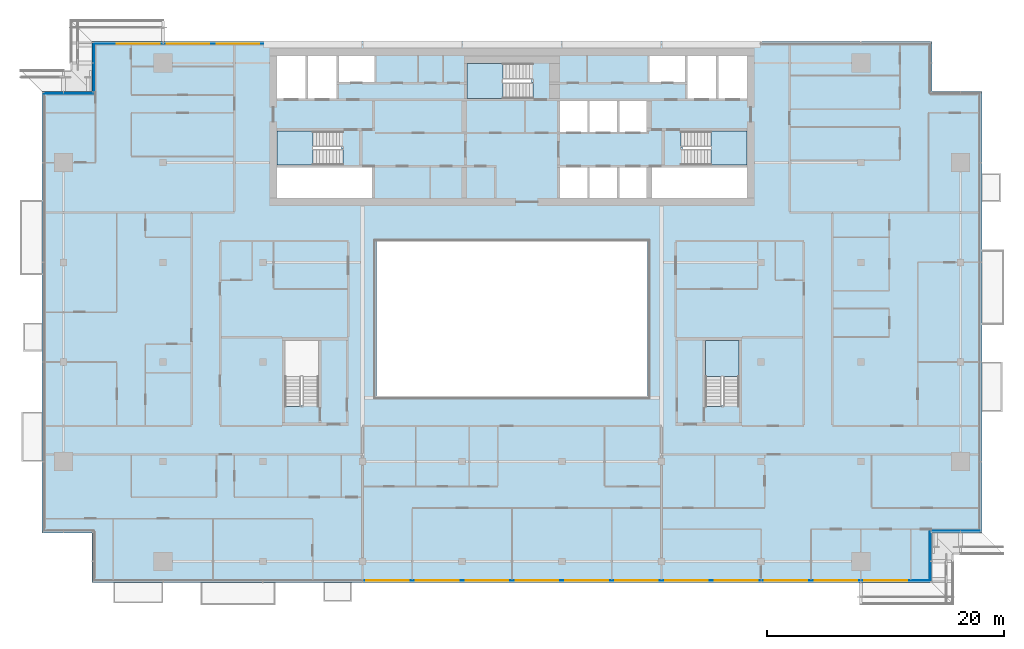
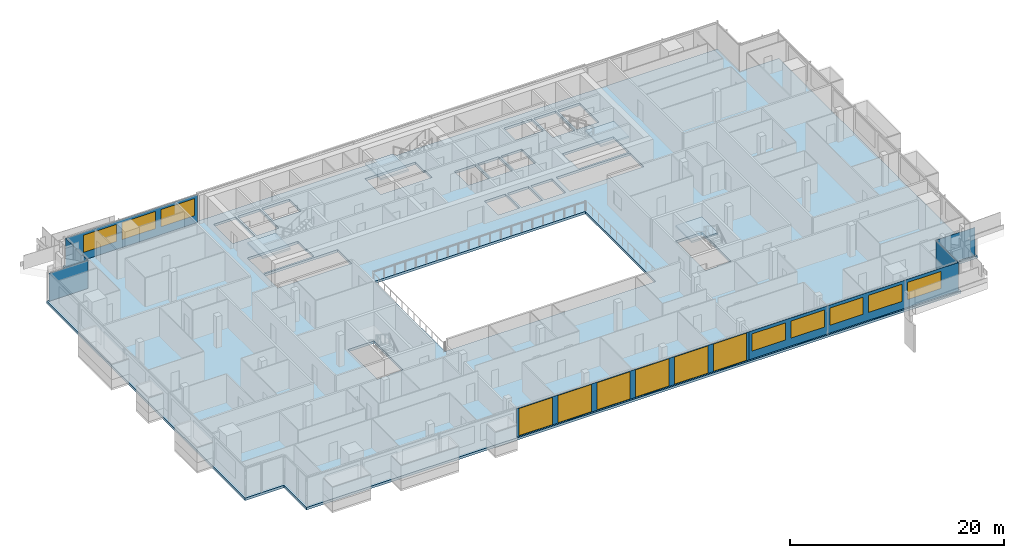
# One storey, part 15 of 30: 14 windows, 7 plates, 5 slabs, 14 openings, 10 elements without a shape of their own.
"""IFC4 building model written with IfcOpenShell, lengths in metres."""

from ifc_helpers import new_model, si_unit, direction, frame, frame_2d, origin, place, context, subcontext, project, spatial, polyline, rectangle, outline, extrude, material, layer, layer_set, type_object, element, fill, aggregate, save


model = new_model("IFC4")

# Units and contexts
model_context = context("Model", 3, precision=1e-05, world=origin(), true_north=direction((0.0, 1.0)))
body_context = subcontext(model_context, "Body", "Model", "MODEL_VIEW")
ifc_project = project(units=[si_unit("LENGTHUNIT", "METRE"), si_unit("AREAUNIT", "SQUARE_METRE"), si_unit("VOLUMEUNIT", "CUBIC_METRE"), si_unit("PLANEANGLEUNIT", "RADIAN"), si_unit("MASSUNIT", "GRAM", prefix="KILO")], contexts=[model_context])

# Site, building, storey
site_placement = place(None, origin())
site = spatial("IfcSite", under=ifc_project, at=site_placement, CompositionType="ELEMENT")
building_placement = place(site_placement, origin())
building = spatial("IfcBuilding", under=site, at=building_placement, Name="Saffron Gate Tower", CompositionType="ELEMENT")
storey_placement = place(building_placement, frame((0.0, 0.0, 216.300048828125)))
storey = spatial("IfcBuildingStorey", under=building, at=storey_placement, Name="L52", CompositionType="ELEMENT", Elevation=216.300048828125)

# Curtain wall, plates, openings, windows
ifc_material_1 = material(Name="Aluminium, bronze anodised", Category="aluminium")
curtain_wall_type_1 = type_object("IfcCurtainWallType", Name="CWS1 curtain wall front facade", PredefinedType="NOTDEFINED", material=ifc_material_1)
curtain_wall_1_placement = place(storey_placement, origin())
curtain_wall_1 = element("IfcCurtainWall", 1, at=curtain_wall_1_placement, inside=storey, type_object=curtain_wall_type_1, Name="CWS1 run 1", PredefinedType="NOTDEFINED")
ifc_material_2 = material(Name="Clear low-iron laminated glass", Category="glass")
ifc_layer_1 = layer(ifc_material_2, 0.028076171875)
ifc_layer_set_1 = layer_set([ifc_layer_1], Name="CWS1 clear glass")
plate_type_1 = type_object("IfcPlateType", Name="CWS1 clear glass", PredefinedType="CURTAIN_PANEL", material=ifc_layer_set_1)
plate_1_placement = place(storey_placement, frame((75.030029296875, 30.174072265625, 0.0), z_axis=(0.0, 0.0, 1.0), x_axis=(1.0, 0.0, 0.0)))
plate_1 = element("IfcPlate", 2, at=plate_1_placement, type_object=plate_type_1, Name="CWS1 clear glass panel", PredefinedType="CURTAIN_PANEL", context=body_context, shape_type="SweptSolid", body=[
    extrude(rectangle(XDim=25.139892578125, YDim=0.028076171875, at=frame_2d((12.56982421875, 0.0))), origin(), (0.0, 0.0, 1.0), 3.199951171875),
])
opening_1_placement = place(plate_1_placement, frame((0.27001953125, 0.0, 0.050048828125)))
opening_1 = element("IfcOpeningElement", 3, at=opening_1_placement, cuts=plate_1, Name="Opening WA", PredefinedType="OPENING", context=body_context, shape_type="SweptSolid", body=[
    extrude(rectangle(XDim=3.60009765625, YDim=3.10009765625, at=frame_2d((1.800048828125, 1.550048828125))), frame((0.0, 0.02392578125, 0.0), z_axis=(0.0, -1.0, 0.0), x_axis=(1.0, 0.0, 0.0)), (0.0, 0.0, 1.0), 0.048095703125),
])
opening_2_placement = place(plate_1_placement, frame((4.469970703125, 0.0, 0.050048828125)))
opening_2 = element("IfcOpeningElement", 4, at=opening_2_placement, cuts=plate_1, Name="Opening WA", PredefinedType="OPENING", context=body_context, shape_type="SweptSolid", body=[
    extrude(rectangle(XDim=3.60009765625, YDim=3.10009765625, at=frame_2d((1.800048828125, 1.550048828125))), frame((0.0, 0.02392578125, 0.0), z_axis=(0.0, -1.0, 0.0), x_axis=(1.0, 0.0, 0.0)), (0.0, 0.0, 1.0), 0.048095703125),
])
opening_3_placement = place(plate_1_placement, frame((8.669921875, 0.0, 0.050048828125)))
opening_3 = element("IfcOpeningElement", 5, at=opening_3_placement, cuts=plate_1, Name="Opening WA", PredefinedType="OPENING", context=body_context, shape_type="SweptSolid", body=[
    extrude(rectangle(XDim=3.60009765625, YDim=3.10009765625, at=frame_2d((1.800048828125, 1.550048828125))), frame((0.0, 0.02392578125, 0.0), z_axis=(0.0, -1.0, 0.0), x_axis=(1.0, 0.0, 0.0)), (0.0, 0.0, 1.0), 0.048095703125),
])
opening_4_placement = place(plate_1_placement, frame((12.8701171875, 0.0, 0.050048828125)))
opening_4 = element("IfcOpeningElement", 6, at=opening_4_placement, cuts=plate_1, Name="Opening WA", PredefinedType="OPENING", context=body_context, shape_type="SweptSolid", body=[
    extrude(rectangle(XDim=3.60009765625, YDim=3.10009765625, at=frame_2d((1.800048828125, 1.550048828125))), frame((0.0, 0.02392578125, 0.0), z_axis=(0.0, -1.0, 0.0), x_axis=(1.0, 0.0, 0.0)), (0.0, 0.0, 1.0), 0.048095703125),
])
opening_5_placement = place(plate_1_placement, frame((17.070068359375, 0.0, 0.050048828125)))
opening_5 = element("IfcOpeningElement", 7, at=opening_5_placement, cuts=plate_1, Name="Opening WA", PredefinedType="OPENING", context=body_context, shape_type="SweptSolid", body=[
    extrude(rectangle(XDim=3.60009765625, YDim=3.10009765625, at=frame_2d((1.800048828125, 1.550048828125))), frame((0.0, 0.02392578125, 0.0), z_axis=(0.0, -1.0, 0.0), x_axis=(1.0, 0.0, 0.0)), (0.0, 0.0, 1.0), 0.048095703125),
])
opening_6_placement = place(plate_1_placement, frame((21.27001953125, 0.0, 0.050048828125)))
opening_6 = element("IfcOpeningElement", 8, at=opening_6_placement, cuts=plate_1, Name="Opening WA", PredefinedType="OPENING", context=body_context, shape_type="SweptSolid", body=[
    extrude(rectangle(XDim=3.60009765625, YDim=3.10009765625, at=frame_2d((1.800048828125, 1.550048828125))), frame((0.0, 0.02392578125, 0.0), z_axis=(0.0, -1.0, 0.0), x_axis=(1.0, 0.0, 0.0)), (0.0, 0.0, 1.0), 0.048095703125),
])
ifc_material_3 = material(Name="Clear low-iron laminated glass in bronze frame", Category="glass")
ifc_layer_2 = layer(ifc_material_3, 0.06005859375)
ifc_layer_set_2 = layer_set([ifc_layer_2], Name="WA operable atrium unit 3600x3100")
window_type_1 = type_object("IfcWindowType", Name="WA operable atrium unit 3600x3100", PartitioningType="DOUBLE_PANEL_HORIZONTAL", PredefinedType="WINDOW", material=ifc_layer_set_2)
window_1_placement = place(opening_1_placement, origin())
window_1 = element("IfcWindow", 9, at=window_1_placement, type_object=window_type_1, Name="WA operable atrium unit", OverallHeight=3.10009765625, OverallWidth=3.60009765625, PartitioningType="SINGLE_PANEL", PredefinedType="WINDOW", context=body_context, shape_type="SweptSolid", body=[
    extrude(rectangle(XDim=3.60009765625, YDim=3.10009765625, at=frame_2d((1.800048828125, 1.550048828125))), frame((0.0, 0.013671875, 0.0), z_axis=(0.0, -1.0, 0.0), x_axis=(1.0, 0.0, 0.0)), (0.0, 0.0, 1.0), 0.027587890625),
])
fill(opening_1, window_1)
window_2_placement = place(opening_2_placement, origin())
window_2 = element("IfcWindow", 10, at=window_2_placement, type_object=window_type_1, Name="WA operable atrium unit", OverallHeight=3.10009765625, OverallWidth=3.60009765625, PartitioningType="SINGLE_PANEL", PredefinedType="WINDOW", context=body_context, shape_type="SweptSolid", body=[
    extrude(rectangle(XDim=3.60009765625, YDim=3.10009765625, at=frame_2d((1.800048828125, 1.550048828125))), frame((0.0, 0.013671875, 0.0), z_axis=(0.0, -1.0, 0.0), x_axis=(1.0, 0.0, 0.0)), (0.0, 0.0, 1.0), 0.027587890625),
])
fill(opening_2, window_2)
window_3_placement = place(opening_3_placement, origin())
window_3 = element("IfcWindow", 11, at=window_3_placement, type_object=window_type_1, Name="WA operable atrium unit", OverallHeight=3.10009765625, OverallWidth=3.60009765625, PartitioningType="SINGLE_PANEL", PredefinedType="WINDOW", context=body_context, shape_type="SweptSolid", body=[
    extrude(rectangle(XDim=3.60009765625, YDim=3.10009765625, at=frame_2d((1.800048828125, 1.550048828125))), frame((0.0, 0.013671875, 0.0), z_axis=(0.0, -1.0, 0.0), x_axis=(1.0, 0.0, 0.0)), (0.0, 0.0, 1.0), 0.027587890625),
])
fill(opening_3, window_3)
window_4_placement = place(opening_4_placement, origin())
window_4 = element("IfcWindow", 12, at=window_4_placement, type_object=window_type_1, Name="WA operable atrium unit", OverallHeight=3.10009765625, OverallWidth=3.60009765625, PartitioningType="SINGLE_PANEL", PredefinedType="WINDOW", context=body_context, shape_type="SweptSolid", body=[
    extrude(rectangle(XDim=3.60009765625, YDim=3.10009765625, at=frame_2d((1.800048828125, 1.550048828125))), frame((0.0, 0.013671875, 0.0), z_axis=(0.0, -1.0, 0.0), x_axis=(1.0, 0.0, 0.0)), (0.0, 0.0, 1.0), 0.027587890625),
])
fill(opening_4, window_4)
window_5_placement = place(opening_5_placement, origin())
window_5 = element("IfcWindow", 13, at=window_5_placement, type_object=window_type_1, Name="WA operable atrium unit", OverallHeight=3.10009765625, OverallWidth=3.60009765625, PartitioningType="SINGLE_PANEL", PredefinedType="WINDOW", context=body_context, shape_type="SweptSolid", body=[
    extrude(rectangle(XDim=3.60009765625, YDim=3.10009765625, at=frame_2d((1.800048828125, 1.550048828125))), frame((0.0, 0.013671875, 0.0), z_axis=(0.0, -1.0, 0.0), x_axis=(1.0, 0.0, 0.0)), (0.0, 0.0, 1.0), 0.027587890625),
])
fill(opening_5, window_5)
window_6_placement = place(opening_6_placement, origin())
window_6 = element("IfcWindow", 14, at=window_6_placement, type_object=window_type_1, Name="WA operable atrium unit", OverallHeight=3.10009765625, OverallWidth=3.60009765625, PartitioningType="SINGLE_PANEL", PredefinedType="WINDOW", context=body_context, shape_type="SweptSolid", body=[
    extrude(rectangle(XDim=3.60009765625, YDim=3.10009765625, at=frame_2d((1.800048828125, 1.550048828125))), frame((0.0, 0.013671875, 0.0), z_axis=(0.0, -1.0, 0.0), x_axis=(1.0, 0.0, 0.0)), (0.0, 0.0, 1.0), 0.027587890625),
])
fill(opening_6, window_6)
ifc_material_4 = material(Name="Fritted bronze-tinted laminated glass", Category="glass")
ifc_layer_3 = layer(ifc_material_4, 0.028076171875)
ifc_layer_set_3 = layer_set([ifc_layer_3], Name="CWS1 fixed glass")
plate_type_2 = type_object("IfcPlateType", Name="CWS1 fixed glass", PredefinedType="CURTAIN_PANEL", material=ifc_layer_set_3)
plate_2_placement = place(storey_placement, frame((100.169921875, 30.174072265625, 0.0), z_axis=(0.0, 0.0, 1.0), x_axis=(1.0, 0.0, 0.0)))
plate_2 = element("IfcPlate", 15, at=plate_2_placement, type_object=plate_type_2, Name="CWS1 glass panel", PredefinedType="CURTAIN_PANEL", context=body_context, shape_type="SweptSolid", body=[
    extrude(rectangle(XDim=22.64208984375, YDim=0.028076171875, at=frame_2d((11.321044921875, 0.0))), origin(), (0.0, 0.0, 1.0), 3.199951171875),
])
opening_7_placement = place(plate_2_placement, frame((0.330078125, 0.0, 0.89990234375)))
opening_7 = element("IfcOpeningElement", 16, at=opening_7_placement, cuts=plate_2, Name="Opening W1", PredefinedType="OPENING", context=body_context, shape_type="SweptSolid", body=[
    extrude(rectangle(XDim=3.60009765625, YDim=1.949951171875, at=frame_2d((1.800048828125, 0.97509765625))), frame((0.0, 0.02392578125, 0.0), z_axis=(0.0, -1.0, 0.0), x_axis=(1.0, 0.0, 0.0)), (0.0, 0.0, 1.0), 0.048095703125),
])
opening_8_placement = place(plate_2_placement, frame((4.530029296875, 0.0, 0.89990234375)))
opening_8 = element("IfcOpeningElement", 17, at=opening_8_placement, cuts=plate_2, Name="Opening W1", PredefinedType="OPENING", context=body_context, shape_type="SweptSolid", body=[
    extrude(rectangle(XDim=3.60009765625, YDim=1.949951171875, at=frame_2d((1.800048828125, 0.97509765625))), frame((0.0, 0.02392578125, 0.0), z_axis=(0.0, -1.0, 0.0), x_axis=(1.0, 0.0, 0.0)), (0.0, 0.0, 1.0), 0.048095703125),
])
opening_9_placement = place(plate_2_placement, frame((8.72998046875, 0.0, 0.89990234375)))
opening_9 = element("IfcOpeningElement", 18, at=opening_9_placement, cuts=plate_2, Name="Opening W1", PredefinedType="OPENING", context=body_context, shape_type="SweptSolid", body=[
    extrude(rectangle(XDim=3.60009765625, YDim=1.949951171875, at=frame_2d((1.800048828125, 0.97509765625))), frame((0.0, 0.02392578125, 0.0), z_axis=(0.0, -1.0, 0.0), x_axis=(1.0, 0.0, 0.0)), (0.0, 0.0, 1.0), 0.048095703125),
])
opening_10_placement = place(plate_2_placement, frame((12.929931640625, 0.0, 0.89990234375)))
opening_10 = element("IfcOpeningElement", 19, at=opening_10_placement, cuts=plate_2, Name="Opening W1", PredefinedType="OPENING", context=body_context, shape_type="SweptSolid", body=[
    extrude(rectangle(XDim=3.60009765625, YDim=1.949951171875, at=frame_2d((1.800048828125, 0.97509765625))), frame((0.0, 0.02392578125, 0.0), z_axis=(0.0, -1.0, 0.0), x_axis=(1.0, 0.0, 0.0)), (0.0, 0.0, 1.0), 0.048095703125),
])
opening_11_placement = place(plate_2_placement, frame((17.1298828125, 0.0, 0.89990234375)))
opening_11 = element("IfcOpeningElement", 20, at=opening_11_placement, cuts=plate_2, Name="Opening W1", PredefinedType="OPENING", context=body_context, shape_type="SweptSolid", body=[
    extrude(rectangle(XDim=3.60009765625, YDim=1.949951171875, at=frame_2d((1.800048828125, 0.97509765625))), frame((0.0, 0.02392578125, 0.0), z_axis=(0.0, -1.0, 0.0), x_axis=(1.0, 0.0, 0.0)), (0.0, 0.0, 1.0), 0.048095703125),
])
ifc_material_5 = material(Name="Fritted bronze-tinted laminated glass in bronze frame", Category="glass")
ifc_layer_4 = layer(ifc_material_5, 0.06005859375)
ifc_layer_set_4 = layer_set([ifc_layer_4], Name="W1 operable panel 3600x1950")
window_type_2 = type_object("IfcWindowType", Name="W1 operable panel 3600x1950", PartitioningType="DOUBLE_PANEL_HORIZONTAL", PredefinedType="WINDOW", material=ifc_layer_set_4)
window_7_placement = place(opening_7_placement, origin())
window_7 = element("IfcWindow", 21, at=window_7_placement, type_object=window_type_2, Name="W1 operable panel", OverallHeight=1.949951171875, OverallWidth=3.60009765625, PartitioningType="SINGLE_PANEL", PredefinedType="WINDOW", context=body_context, shape_type="SweptSolid", body=[
    extrude(rectangle(XDim=3.60009765625, YDim=1.949951171875, at=frame_2d((1.800048828125, 0.97509765625))), frame((0.0, 0.013671875, 0.0), z_axis=(0.0, -1.0, 0.0), x_axis=(1.0, 0.0, 0.0)), (0.0, 0.0, 1.0), 0.027587890625),
])
fill(opening_7, window_7)
window_8_placement = place(opening_8_placement, origin())
window_8 = element("IfcWindow", 22, at=window_8_placement, type_object=window_type_2, Name="W1 operable panel", OverallHeight=1.949951171875, OverallWidth=3.60009765625, PartitioningType="SINGLE_PANEL", PredefinedType="WINDOW", context=body_context, shape_type="SweptSolid", body=[
    extrude(rectangle(XDim=3.60009765625, YDim=1.949951171875, at=frame_2d((1.800048828125, 0.97509765625))), frame((0.0, 0.013671875, 0.0), z_axis=(0.0, -1.0, 0.0), x_axis=(1.0, 0.0, 0.0)), (0.0, 0.0, 1.0), 0.027587890625),
])
fill(opening_8, window_8)
window_9_placement = place(opening_9_placement, origin())
window_9 = element("IfcWindow", 23, at=window_9_placement, type_object=window_type_2, Name="W1 operable panel", OverallHeight=1.949951171875, OverallWidth=3.60009765625, PartitioningType="SINGLE_PANEL", PredefinedType="WINDOW", context=body_context, shape_type="SweptSolid", body=[
    extrude(rectangle(XDim=3.60009765625, YDim=1.949951171875, at=frame_2d((1.800048828125, 0.97509765625))), frame((0.0, 0.013671875, 0.0), z_axis=(0.0, -1.0, 0.0), x_axis=(1.0, 0.0, 0.0)), (0.0, 0.0, 1.0), 0.027587890625),
])
fill(opening_9, window_9)
window_10_placement = place(opening_10_placement, origin())
window_10 = element("IfcWindow", 24, at=window_10_placement, type_object=window_type_2, Name="W1 operable panel", OverallHeight=1.949951171875, OverallWidth=3.60009765625, PartitioningType="SINGLE_PANEL", PredefinedType="WINDOW", context=body_context, shape_type="SweptSolid", body=[
    extrude(rectangle(XDim=3.60009765625, YDim=1.949951171875, at=frame_2d((1.800048828125, 0.97509765625))), frame((0.0, 0.013671875, 0.0), z_axis=(0.0, -1.0, 0.0), x_axis=(1.0, 0.0, 0.0)), (0.0, 0.0, 1.0), 0.027587890625),
])
fill(opening_10, window_10)
window_11_placement = place(opening_11_placement, origin())
window_11 = element("IfcWindow", 25, at=window_11_placement, type_object=window_type_2, Name="W1 operable panel", OverallHeight=1.949951171875, OverallWidth=3.60009765625, PartitioningType="SINGLE_PANEL", PredefinedType="WINDOW", context=body_context, shape_type="SweptSolid", body=[
    extrude(rectangle(XDim=3.60009765625, YDim=1.949951171875, at=frame_2d((1.800048828125, 0.97509765625))), frame((0.0, 0.013671875, 0.0), z_axis=(0.0, -1.0, 0.0), x_axis=(1.0, 0.0, 0.0)), (0.0, 0.0, 1.0), 0.027587890625),
])
fill(opening_11, window_11)
aggregate(curtain_wall_1, [plate_2, plate_1, window_7, window_8, window_9, window_10, window_11, window_1, window_2, window_3, window_4, window_5, window_6])

# Curtain wall, plate, openings, windows
curtain_wall_type_2 = type_object("IfcCurtainWallType", Name="CWS3 curtain wall rear facade", PredefinedType="NOTDEFINED", material=ifc_material_1)
curtain_wall_2_placement = place(storey_placement, origin())
curtain_wall_2 = element("IfcCurtainWall", 26, at=curtain_wall_2_placement, inside=storey, type_object=curtain_wall_type_2, Name="CWS3 run 7", PredefinedType="NOTDEFINED")
ifc_material_6 = material(Name="Fritted grey-tinted laminated glass", Category="glass")
ifc_layer_5 = layer(ifc_material_6, 0.028076171875)
ifc_layer_set_5 = layer_set([ifc_layer_5], Name="CWS3 fixed glass")
plate_type_3 = type_object("IfcPlateType", Name="CWS3 fixed glass", PredefinedType="CURTAIN_PANEL", material=ifc_layer_set_5)
plate_3_placement = place(storey_placement, frame((66.635009765625, 75.426025390625, 0.0), z_axis=(0.0, 0.0, 1.0), x_axis=(-1.0, 0.0, 0.0)))
plate_3 = element("IfcPlate", 27, at=plate_3_placement, type_object=plate_type_3, Name="CWS3 glass panel", PredefinedType="CURTAIN_PANEL", context=body_context, shape_type="SweptSolid", body=[
    extrude(rectangle(XDim=14.2470703125, YDim=0.028076171875, at=frame_2d((7.12353515625, 0.0))), origin(), (0.0, 0.0, 1.0), 3.199951171875),
])
opening_12_placement = place(plate_3_placement, frame((0.3349609375, 0.0, 0.89990234375)))
opening_12 = element("IfcOpeningElement", 28, at=opening_12_placement, cuts=plate_3, Name="Opening W1", PredefinedType="OPENING", context=body_context, shape_type="SweptSolid", body=[
    extrude(rectangle(XDim=3.60009765625, YDim=1.949951171875, at=frame_2d((1.800048828125, 0.97509765625))), frame((0.0, 0.02392578125, 0.0), z_axis=(0.0, -1.0, 0.0), x_axis=(1.0, 0.0, 0.0)), (0.0, 0.0, 1.0), 0.048095703125),
])
opening_13_placement = place(plate_3_placement, frame((4.534912109375, 0.0, 0.89990234375)))
opening_13 = element("IfcOpeningElement", 29, at=opening_13_placement, cuts=plate_3, Name="Opening W1", PredefinedType="OPENING", context=body_context, shape_type="SweptSolid", body=[
    extrude(rectangle(XDim=3.60009765625, YDim=1.949951171875, at=frame_2d((1.800048828125, 0.97509765625))), frame((0.0, 0.02392578125, 0.0), z_axis=(0.0, -1.0, 0.0), x_axis=(1.0, 0.0, 0.0)), (0.0, 0.0, 1.0), 0.048095703125),
])
opening_14_placement = place(plate_3_placement, frame((8.735107421875, 0.0, 0.89990234375)))
opening_14 = element("IfcOpeningElement", 30, at=opening_14_placement, cuts=plate_3, Name="Opening W1", PredefinedType="OPENING", context=body_context, shape_type="SweptSolid", body=[
    extrude(rectangle(XDim=3.60009765625, YDim=1.949951171875, at=frame_2d((1.800048828125, 0.97509765625))), frame((0.0, 0.02392578125, 0.0), z_axis=(0.0, -1.0, 0.0), x_axis=(1.0, 0.0, 0.0)), (0.0, 0.0, 1.0), 0.048095703125),
])
window_12_placement = place(opening_12_placement, origin())
window_12 = element("IfcWindow", 31, at=window_12_placement, type_object=window_type_2, Name="W1 operable panel", OverallHeight=1.949951171875, OverallWidth=3.60009765625, PartitioningType="SINGLE_PANEL", PredefinedType="WINDOW", context=body_context, shape_type="SweptSolid", body=[
    extrude(rectangle(XDim=3.60009765625, YDim=1.949951171875, at=frame_2d((1.800048828125, 0.97509765625))), frame((0.0, 0.013671875, 0.0), z_axis=(0.0, -1.0, 0.0), x_axis=(1.0, 0.0, 0.0)), (0.0, 0.0, 1.0), 0.027587890625),
])
fill(opening_12, window_12)
window_13_placement = place(opening_13_placement, origin())
window_13 = element("IfcWindow", 32, at=window_13_placement, type_object=window_type_2, Name="W1 operable panel", OverallHeight=1.949951171875, OverallWidth=3.60009765625, PartitioningType="SINGLE_PANEL", PredefinedType="WINDOW", context=body_context, shape_type="SweptSolid", body=[
    extrude(rectangle(XDim=3.60009765625, YDim=1.949951171875, at=frame_2d((1.800048828125, 0.97509765625))), frame((0.0, 0.013671875, 0.0), z_axis=(0.0, -1.0, 0.0), x_axis=(1.0, 0.0, 0.0)), (0.0, 0.0, 1.0), 0.027587890625),
])
fill(opening_13, window_13)
window_14_placement = place(opening_14_placement, origin())
window_14 = element("IfcWindow", 33, at=window_14_placement, type_object=window_type_2, Name="W1 operable panel", OverallHeight=1.949951171875, OverallWidth=3.60009765625, PartitioningType="SINGLE_PANEL", PredefinedType="WINDOW", context=body_context, shape_type="SweptSolid", body=[
    extrude(rectangle(XDim=3.60009765625, YDim=1.949951171875, at=frame_2d((1.800048828125, 0.97509765625))), frame((0.0, 0.013671875, 0.0), z_axis=(0.0, -1.0, 0.0), x_axis=(1.0, 0.0, 0.0)), (0.0, 0.0, 1.0), 0.027587890625),
])
fill(opening_14, window_14)
aggregate(curtain_wall_2, [plate_3, window_12, window_13, window_14])

# Curtain wall, plate
curtain_wall_type_3 = type_object("IfcCurtainWallType", Name="CWS4 curtain wall corner returns", PredefinedType="NOTDEFINED", material=ifc_material_1)
curtain_wall_3_placement = place(storey_placement, origin())
curtain_wall_3 = element("IfcCurtainWall", 34, at=curtain_wall_3_placement, inside=storey, type_object=curtain_wall_type_3, Name="CWS4 run 2", PredefinedType="NOTDEFINED")
ifc_layer_6 = layer(ifc_material_4, 0.028076171875)
ifc_layer_set_6 = layer_set([ifc_layer_6], Name="CWS4 fixed glass")
plate_type_4 = type_object("IfcPlateType", Name="CWS4 fixed glass", PredefinedType="CURTAIN_PANEL", material=ifc_layer_set_6)
plate_4_placement = place(storey_placement, frame((122.825927734375, 30.18798828125, 0.0), z_axis=(0.0, 0.0, 1.0), x_axis=(0.0, 1.0, 0.0)))
plate_4 = element("IfcPlate", 35, at=plate_4_placement, type_object=plate_type_4, Name="CWS4 glass panel", PredefinedType="CURTAIN_PANEL", context=body_context, shape_type="SweptSolid", body=[
    extrude(rectangle(XDim=4.172119140625, YDim=0.028076171875, at=frame_2d((2.0859375, 0.0))), origin(), (0.0, 0.0, 1.0), 3.199951171875),
])
aggregate(curtain_wall_3, [plate_4])

curtain_wall_4_placement = place(storey_placement, origin())
curtain_wall_4 = element("IfcCurtainWall", 36, at=curtain_wall_4_placement, inside=storey, type_object=curtain_wall_type_3, Name="CWS4 run 3", PredefinedType="NOTDEFINED")
plate_5_placement = place(storey_placement, frame((122.840087890625, 34.3740234375, 0.0), z_axis=(0.0, 0.0, 1.0), x_axis=(1.0, 0.0, 0.0)))
plate_5 = element("IfcPlate", 37, at=plate_5_placement, type_object=plate_type_4, Name="CWS4 glass panel", PredefinedType="CURTAIN_PANEL", context=body_context, shape_type="SweptSolid", body=[
    extrude(rectangle(XDim=4.171875, YDim=0.028076171875, at=frame_2d((2.0859375, 0.0))), origin(), (0.0, 0.0, 1.0), 3.199951171875),
])
aggregate(curtain_wall_4, [plate_5])

curtain_wall_5_placement = place(storey_placement, origin())
curtain_wall_5 = element("IfcCurtainWall", 38, at=curtain_wall_5_placement, inside=storey, type_object=curtain_wall_type_3, Name="CWS4 run 8", PredefinedType="NOTDEFINED")
plate_6_placement = place(storey_placement, frame((52.3740234375, 75.412109375, 0.0), z_axis=(0.0, 0.0, 1.0), x_axis=(0.0, -1.0, 0.0)))
plate_6 = element("IfcPlate", 39, at=plate_6_placement, type_object=plate_type_4, Name="CWS4 glass panel", PredefinedType="CURTAIN_PANEL", context=body_context, shape_type="SweptSolid", body=[
    extrude(rectangle(XDim=4.172119140625, YDim=0.028076171875, at=frame_2d((2.0859375, 0.0))), origin(), (0.0, 0.0, 1.0), 3.199951171875),
])
aggregate(curtain_wall_5, [plate_6])

curtain_wall_6_placement = place(storey_placement, origin())
curtain_wall_6 = element("IfcCurtainWall", 40, at=curtain_wall_6_placement, inside=storey, type_object=curtain_wall_type_3, Name="CWS4 run 9", PredefinedType="NOTDEFINED")
plate_7_placement = place(storey_placement, frame((52.360107421875, 71.22607421875, 0.0), z_axis=(0.0, 0.0, 1.0), x_axis=(-1.0, 0.0, 0.0)))
plate_7 = element("IfcPlate", 41, at=plate_7_placement, type_object=plate_type_4, Name="CWS4 glass panel", PredefinedType="CURTAIN_PANEL", context=body_context, shape_type="SweptSolid", body=[
    extrude(rectangle(XDim=4.172119140625, YDim=0.028076171875, at=frame_2d((2.0859375, 0.0))), origin(), (0.0, 0.0, 1.0), 3.199951171875),
])
aggregate(curtain_wall_6, [plate_7])

# Slab
ifc_material_7 = material(Name="Concrete C40", Category="concrete")
ifc_layer_7 = layer(ifc_material_7, 0.280029296875)
ifc_layer_set_7 = layer_set([ifc_layer_7], Name="S2 FLOOR SLAB 280 CONCRETE C40")
slab_type_1 = type_object("IfcSlabType", Name="S2 FLOOR SLAB 280 CONCRETE C40", PredefinedType="FLOOR", material=ifc_layer_set_7)
slab_1_placement = place(storey_placement, frame((0.0, 0.0, -0.280029296875)))
element("IfcSlab", 42, at=slab_1_placement, inside=storey, type_object=slab_type_1, Name="S2 FLOOR SLAB", PredefinedType="FLOOR", context=body_context, shape_type="SweptSolid", body=[
    extrude(outline(polyline([(48.0, 34.199951171875), (52.199951171875, 34.199951171875), (52.199951171875, 30.0), (123.0, 30.0), (123.0, 34.199951171875), (127.199951171875, 34.199951171875), (127.199951171875, 71.39990234375), (123.0, 71.39990234375), (123.0, 75.60009765625), (52.199951171875, 75.60009765625), (52.199951171875, 71.39990234375), (48.0, 71.39990234375), (48.0, 34.199951171875)]), holes=[polyline([(67.800048828125, 62.39990234375), (67.800048828125, 65.0), (75.800048828125, 65.0), (75.800048828125, 62.39990234375), (67.800048828125, 62.39990234375)]), polyline([(67.800048828125, 65.199951171875), (67.800048828125, 68.050048828125), (73.25, 68.050048828125), (73.25, 66.550048828125), (73.34912109375, 66.550048828125), (73.34912109375, 65.199951171875), (67.800048828125, 65.199951171875)]), polyline([(67.800048828125, 70.800048828125), (67.800048828125, 74.39990234375), (70.199951171875, 74.39990234375), (70.199951171875, 70.800048828125), (67.800048828125, 70.800048828125)]), polyline([(68.449951171875, 44.85107421875), (68.449951171875, 50.39990234375), (71.300048828125, 50.39990234375), (71.300048828125, 44.949951171875), (69.800048828125, 44.949951171875), (69.800048828125, 44.85107421875), (68.449951171875, 44.85107421875)]), polyline([(70.39990234375, 70.800048828125), (70.39990234375, 74.39990234375), (72.800048828125, 74.39990234375), (72.800048828125, 70.800048828125), (70.39990234375, 70.800048828125)]), polyline([(73.0, 72.199951171875), (73.0, 74.39990234375), (76.0, 74.39990234375), (76.0, 72.199951171875), (73.0, 72.199951171875)]), polyline([(76.199951171875, 45.60009765625), (76.199951171875, 58.800048828125), (99.0, 58.800048828125), (99.0, 45.60009765625), (76.199951171875, 45.60009765625)]), polyline([(83.800048828125, 70.800048828125), (83.800048828125, 73.75), (89.25, 73.75), (89.25, 72.14990234375), (89.34912109375, 72.14990234375), (89.34912109375, 70.800048828125), (83.800048828125, 70.800048828125)]), polyline([(91.64990234375, 62.39990234375), (91.64990234375, 65.0), (93.949951171875, 65.0), (93.949951171875, 62.39990234375), (91.64990234375, 62.39990234375)]), polyline([(91.64990234375, 68.0), (91.64990234375, 70.60009765625), (93.949951171875, 70.60009765625), (93.949951171875, 68.0), (91.64990234375, 68.0)]), polyline([(94.14990234375, 62.39990234375), (94.14990234375, 65.0), (96.449951171875, 65.0), (96.449951171875, 62.39990234375), (94.14990234375, 62.39990234375)]), polyline([(94.14990234375, 68.0), (94.14990234375, 70.60009765625), (96.449951171875, 70.60009765625), (96.449951171875, 68.0), (94.14990234375, 68.0)]), polyline([(96.64990234375, 62.39990234375), (96.64990234375, 65.0), (98.949951171875, 65.0), (98.949951171875, 62.39990234375), (96.64990234375, 62.39990234375)]), polyline([(96.64990234375, 68.0), (96.64990234375, 70.60009765625), (98.949951171875, 70.60009765625), (98.949951171875, 68.0), (96.64990234375, 68.0)]), polyline([(99.199951171875, 72.199951171875), (99.199951171875, 74.39990234375), (102.199951171875, 74.39990234375), (102.199951171875, 72.199951171875), (99.199951171875, 72.199951171875)]), polyline([(99.39990234375, 62.39990234375), (99.39990234375, 65.0), (107.39990234375, 65.0), (107.39990234375, 62.39990234375), (99.39990234375, 62.39990234375)]), polyline([(101.85107421875, 66.699951171875), (101.85107421875, 68.050048828125), (107.39990234375, 68.050048828125), (107.39990234375, 65.199951171875), (101.949951171875, 65.199951171875), (101.949951171875, 66.699951171875), (101.85107421875, 66.699951171875)]), polyline([(102.39990234375, 70.800048828125), (102.39990234375, 74.39990234375), (104.800048828125, 74.39990234375), (104.800048828125, 70.800048828125), (102.39990234375, 70.800048828125)]), polyline([(103.89990234375, 44.85107421875), (103.89990234375, 50.39990234375), (106.75, 50.39990234375), (106.75, 44.949951171875), (105.25, 44.949951171875), (105.25, 44.85107421875), (103.89990234375, 44.85107421875)]), polyline([(105.0, 70.800048828125), (105.0, 74.39990234375), (107.39990234375, 74.39990234375), (107.39990234375, 70.800048828125), (105.0, 70.800048828125)])]), origin(), (0.0, 0.0, 1.0), 0.280029296875),
])

# Stair, slab
stair_type = type_object("IfcStairType", Name="ST7 Stair 1350 wide, 20 risers of 180", PredefinedType="HALF_TURN_STAIR", material=ifc_material_7)
stair_1_placement = place(storey_placement, origin())
stair_1 = element("IfcStair", 43, at=stair_1_placement, inside=storey, type_object=stair_type, Name="L52 Exit stair A", PredefinedType="HALF_TURN_STAIR")
ifc_layer_8 = layer(ifc_material_7, 0.199951171875)
ifc_layer_set_8 = layer_set([ifc_layer_8], Name="SL1 Stair landing 200")
slab_type_2 = type_object("IfcSlabType", Name="SL1 Stair landing 200", PredefinedType="LANDING", material=ifc_layer_set_8)
slab_2_placement = place(storey_placement, frame((0.0, 0.0, 1.599853515625)))
slab_2 = element("IfcSlab", 44, at=slab_2_placement, type_object=slab_type_2, Name="ST-A landing 1", PredefinedType="LANDING", context=body_context, shape_type="SweptSolid", body=[
    extrude(outline(polyline([(70.830078125, 68.050048828125), (67.800048828125, 68.050048828125), (67.800048828125, 65.199951171875), (70.830078125, 65.199951171875), (70.830078125, 68.050048828125)])), origin(), (0.0, 0.0, 1.0), 0.2001953125),
])
aggregate(stair_1, [slab_2])

stair_2_placement = place(storey_placement, origin())
stair_2 = element("IfcStair", 45, at=stair_2_placement, inside=storey, type_object=stair_type, Name="L52 Exit stair B", PredefinedType="HALF_TURN_STAIR")
slab_3_placement = place(storey_placement, frame((0.0, 0.0, 1.599853515625)))
slab_3 = element("IfcSlab", 46, at=slab_3_placement, type_object=slab_type_2, Name="ST-B landing 1", PredefinedType="LANDING", context=body_context, shape_type="SweptSolid", body=[
    extrude(outline(polyline([(104.3701171875, 65.199951171875), (107.39990234375, 65.199951171875), (107.39990234375, 68.050048828125), (104.3701171875, 68.050048828125), (104.3701171875, 65.199951171875)])), origin(), (0.0, 0.0, 1.0), 0.2001953125),
])
aggregate(stair_2, [slab_3])

stair_3_placement = place(storey_placement, origin())
stair_3 = element("IfcStair", 47, at=stair_3_placement, inside=storey, type_object=stair_type, Name="L52 Exit stair C", PredefinedType="HALF_TURN_STAIR")
slab_4_placement = place(storey_placement, frame((0.0, 0.0, 1.599853515625)))
slab_4 = element("IfcSlab", 48, at=slab_4_placement, type_object=slab_type_2, Name="ST-C landing 1", PredefinedType="LANDING", context=body_context, shape_type="SweptSolid", body=[
    extrude(outline(polyline([(86.830078125, 73.75), (83.800048828125, 73.75), (83.800048828125, 70.800048828125), (86.830078125, 70.800048828125), (86.830078125, 73.75)])), origin(), (0.0, 0.0, 1.0), 0.2001953125),
])
aggregate(stair_3, [slab_4])

stair_4_placement = place(storey_placement, origin())
stair_4 = element("IfcStair", 49, at=stair_4_placement, inside=storey, type_object=stair_type, Name="L52 Exit stair E", PredefinedType="HALF_TURN_STAIR")
slab_5_placement = place(storey_placement, frame((0.0, 0.0, 1.599853515625)))
slab_5 = element("IfcSlab", 50, at=slab_5_placement, type_object=slab_type_2, Name="ST-E landing 1", PredefinedType="LANDING", context=body_context, shape_type="SweptSolid", body=[
    extrude(outline(polyline([(106.75, 47.3701171875), (106.75, 50.39990234375), (103.89990234375, 50.39990234375), (103.89990234375, 47.3701171875), (106.75, 47.3701171875)])), origin(), (0.0, 0.0, 1.0), 0.2001953125),
])
aggregate(stair_4, [slab_5])

save(model, "model.ifc")
